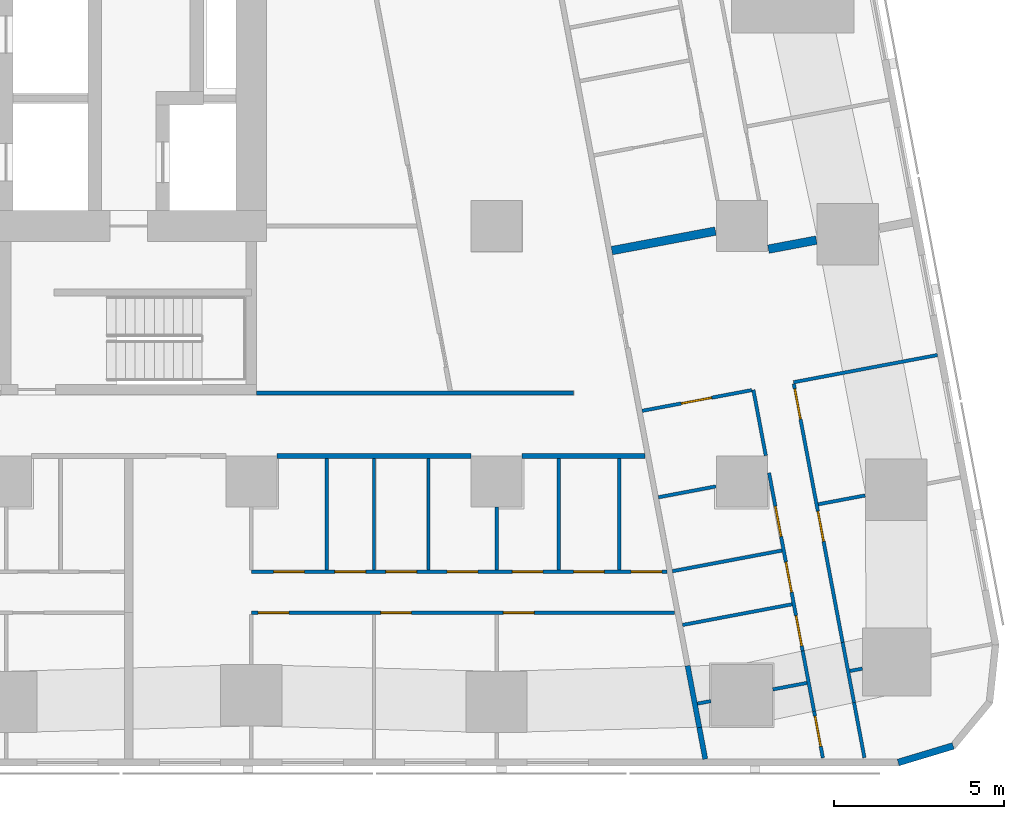
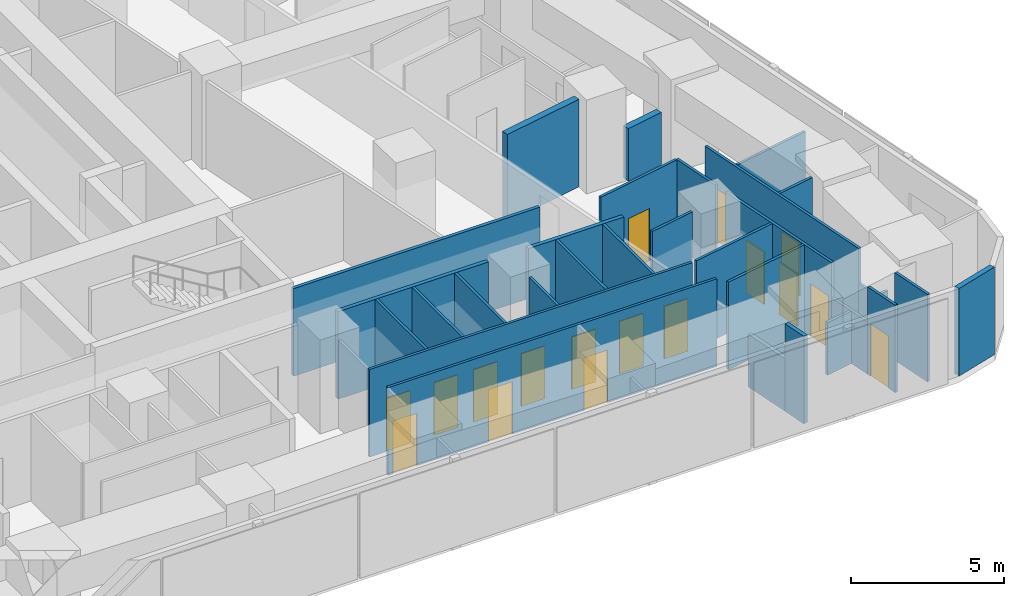
# One storey, part 6 of 15: 32 walls, 17 doors, 17 openings.
"""IFC4 building model written with IfcOpenShell, lengths in metres."""

from ifc_helpers import new_model, si_unit, direction, frame, frame_2d, origin, place, context, subcontext, project, spatial, rectangle, extrude, material, layer, layer_set, type_object, element, fill, save


model = new_model("IFC4")

# Units and contexts
model_context = context("Model", 3, precision=1e-05, world=origin(), true_north=direction((0.0, 1.0)))
body_context = subcontext(model_context, "Body", "Model", "MODEL_VIEW")
ifc_project = project(units=[si_unit("LENGTHUNIT", "METRE"), si_unit("AREAUNIT", "SQUARE_METRE"), si_unit("VOLUMEUNIT", "CUBIC_METRE"), si_unit("PLANEANGLEUNIT", "RADIAN"), si_unit("MASSUNIT", "GRAM", prefix="KILO")], contexts=[model_context])

# Site, building, storey
site_placement = place(None, origin())
site = spatial("IfcSite", under=ifc_project, at=site_placement, CompositionType="ELEMENT")
building_placement = place(site_placement, origin())
building = spatial("IfcBuilding", under=site, at=building_placement, Name="Sheger Commons Tower", CompositionType="ELEMENT")
storey_placement = place(building_placement, frame((0.0, 0.0, 150.800048828125)))
storey = spatial("IfcBuildingStorey", under=building, at=storey_placement, Name="L38", CompositionType="ELEMENT", Elevation=150.800048828125)

# Walls
ifc_material_1 = material(Name="Hollow concrete block masonry, skimmed both sides", Category="masonry")
ifc_layer_1 = layer(ifc_material_1, 0.14990234375)
ifc_layer_set_1 = layer_set([ifc_layer_1], Name="CORRIDOR WALL 150")
wall_type_1 = type_object("IfcWallType", Name="CORRIDOR WALL 150", PredefinedType="SOLIDWALL", material=ifc_layer_set_1)
wall_1_placement = place(storey_placement, frame((40.35595703125, 8.25, 0.0), z_axis=(0.0, 0.0, 1.0), x_axis=(-1.0, 0.0, 0.0)))
element("IfcWall", 1, at=wall_1_placement, inside=storey, type_object=wall_type_1, Name="Corridor wall L38", PredefinedType="SOLIDWALL", context=body_context, shape_type="SweptSolid", body=[
    extrude(rectangle(XDim=3.60498046875, YDim=0.14990234375, at=frame_2d((1.802490234375, 0.0))), origin(), (0.0, 0.0, 1.0), 3.5),
])
wall_2_placement = place(storey_placement, frame((35.2490234375, 8.25, 0.0), z_axis=(0.0, 0.0, 1.0), x_axis=(-1.0, 0.0, 0.0)))
element("IfcWall", 2, at=wall_2_placement, inside=storey, type_object=wall_type_1, Name="Corridor wall L38", PredefinedType="SOLIDWALL", context=body_context, shape_type="SweptSolid", body=[
    extrude(rectangle(XDim=5.697998046875, YDim=0.14990234375, at=frame_2d((2.84912109375, 0.0))), origin(), (0.0, 0.0, 1.0), 3.5),
])
wall_3_placement = place(storey_placement, frame((41.60888671875, 2.093017578125, 0.0), z_axis=(0.0, 0.0, 1.0), x_axis=(0.185708872674, -0.982604811005, 0.0)))
element("IfcWall", 3, at=wall_3_placement, inside=storey, type_object=wall_type_1, Name="Corridor wall L38", PredefinedType="SOLIDWALL", context=body_context, shape_type="SweptSolid", body=[
    extrude(rectangle(XDim=1.84716796875, YDim=0.14990234375, at=frame_2d((0.923583984375, 0.0))), origin(), (0.0, 0.0, 1.0), 2.099853515625),
])
wall_4_placement = place(storey_placement, frame((41.951904296875, 0.278076171875, 0.0), z_axis=(0.0, 0.0, 1.0), x_axis=(0.185365466984, -0.982669651332, 0.0)))
element("IfcWall", 4, at=wall_4_placement, inside=storey, type_object=wall_type_1, Name="Corridor wall L38", PredefinedType="SOLIDWALL", context=body_context, shape_type="SweptSolid", body=[
    extrude(rectangle(XDim=0.9443359375, YDim=0.14990234375, at=frame_2d((0.47216796875, 0.0))), origin(), (0.0, 0.0, 1.0), 3.5),
])
ifc_material_2 = material(Name="Dense concrete block masonry, plastered both sides (separating wall between flats)", Category="masonry")
ifc_layer_2 = layer(ifc_material_2, 0.25)
ifc_layer_set_2 = layer_set([ifc_layer_2], Name="DEMISING WALL 250")
wall_type_2 = type_object("IfcWallType", Name="DEMISING WALL 250", PredefinedType="SOLIDWALL", material=ifc_layer_set_2)
wall_5_placement = place(storey_placement, frame((45.389892578125, 14.587890625, 0.0), z_axis=(0.0, 0.0, 1.0), x_axis=(-0.982680951688, -0.18530555089, 0.0)))
element("IfcWall", 5, at=wall_5_placement, inside=storey, type_object=wall_type_2, Name="Demising wall L38", PredefinedType="SOLIDWALL", context=body_context, shape_type="SweptSolid", body=[
    extrude(rectangle(XDim=1.434814453125, YDim=0.25, at=frame_2d((0.71728515625, 0.0))), origin(), (0.0, 0.0, 1.0), 2.099853515625),
])
wall_6_placement = place(storey_placement, frame((42.426025390625, 14.85302734375, 0.0), z_axis=(0.0, 0.0, 1.0), x_axis=(-0.982660840416, -0.185412169809, 0.0)))
element("IfcWall", 6, at=wall_6_placement, inside=storey, type_object=wall_type_2, Name="Demising wall L38", PredefinedType="SOLIDWALL", context=body_context, shape_type="SweptSolid", body=[
    extrude(rectangle(XDim=3.095703125, YDim=0.25, at=frame_2d((1.5478515625, 0.0))), origin(), (0.0, 0.0, 1.0), 3.5),
])
ifc_material_3 = material(Name="Rendered concrete block masonry, dark grey", Category="masonry")
ifc_layer_3 = layer(ifc_material_3, 0.199951171875)
ifc_layer_set_3 = layer_set([ifc_layer_3], Name="FACADE WALL 200")
wall_type_3 = type_object("IfcWallType", Name="FACADE WALL 200", PredefinedType="SOLIDWALL", material=ifc_layer_set_3)
wall_7_placement = place(storey_placement, frame((47.791015625, -0.75, 0.0), z_axis=(0.0, 0.0, 1.0), x_axis=(0.957455232626, 0.288581838509, 0.0)))
element("IfcWall", 7, at=wall_7_placement, inside=storey, type_object=wall_type_3, Name="Facade wall L38", PredefinedType="SOLIDWALL", context=body_context, shape_type="SweptSolid", body=[
    extrude(rectangle(XDim=1.687744140625, YDim=0.199951171875, at=frame_2d((0.84375, 0.0))), origin(), (0.0, 0.0, 1.0), 3.5),
])

# Wall, openings, doors
ifc_material_4 = material(Name="Gypsum board on steel studs", Category="steel")
ifc_layer_4 = layer(ifc_material_4, 0.10009765625)
ifc_layer_set_4 = layer_set([ifc_layer_4], Name="PARTITION 100")
wall_type_4 = type_object("IfcWallType", Name="PARTITION 100", PredefinedType="PARTITIONING", material=ifc_layer_set_4)
wall_8_placement = place(storey_placement, frame((41.22900390625, 3.64990234375, 0.0), z_axis=(0.0, 0.0, 1.0), x_axis=(-1.0, 0.0, 0.0)))
wall_8 = element("IfcWall", 8, at=wall_8_placement, inside=storey, type_object=wall_type_4, Name="Partition L38", PredefinedType="PARTITIONING", context=body_context, shape_type="SweptSolid", body=[
    extrude(rectangle(XDim=12.428955078125, YDim=0.10009765625, at=frame_2d((6.21435546875, 0.0))), origin(), (0.0, 0.0, 1.0), 3.5),
])
opening_1_placement = place(wall_8_placement, frame((11.3291015625, 0.0, 0.0)))
opening_1 = element("IfcOpeningElement", 9, at=opening_1_placement, cuts=wall_8, Name="Opening D2", PredefinedType="OPENING", context=body_context, shape_type="SweptSolid", body=[
    extrude(rectangle(XDim=0.89990234375, YDim=2.10009765625, at=frame_2d((0.449951171875, 1.050048828125))), frame((0.0, 0.06005859375, 0.0), z_axis=(0.0, -1.0, 0.0), x_axis=(1.0, 0.0, 0.0)), (0.0, 0.0, 1.0), 0.1201171875),
])
opening_2_placement = place(wall_8_placement, frame((7.72900390625, 0.0, 0.0)))
opening_2 = element("IfcOpeningElement", 10, at=opening_2_placement, cuts=wall_8, Name="Opening D2", PredefinedType="OPENING", context=body_context, shape_type="SweptSolid", body=[
    extrude(rectangle(XDim=0.89990234375, YDim=2.10009765625, at=frame_2d((0.449951171875, 1.050048828125))), frame((0.0, 0.06005859375, 0.0), z_axis=(0.0, -1.0, 0.0), x_axis=(1.0, 0.0, 0.0)), (0.0, 0.0, 1.0), 0.1201171875),
])
opening_3_placement = place(wall_8_placement, frame((4.12890625, 0.0, 0.0)))
opening_3 = element("IfcOpeningElement", 11, at=opening_3_placement, cuts=wall_8, Name="Opening D2", PredefinedType="OPENING", context=body_context, shape_type="SweptSolid", body=[
    extrude(rectangle(XDim=0.89990234375, YDim=2.10009765625, at=frame_2d((0.449951171875, 1.050048828125))), frame((0.0, 0.06005859375, 0.0), z_axis=(0.0, -1.0, 0.0), x_axis=(1.0, 0.0, 0.0)), (0.0, 0.0, 1.0), 0.1201171875),
])
ifc_material_5 = material(Name="Timber door set", Category="wood")
door_type = type_object("IfcDoorType", Name="INTERNAL DOOR 900x2100", OperationType="NOTDEFINED", PredefinedType="DOOR", material=ifc_material_5)
door_1_placement = place(opening_1_placement, origin())
door_1 = element("IfcDoor", 12, at=door_1_placement, inside=storey, type_object=door_type, Name="Main bedroom door", OperationType="SINGLE_SWING_RIGHT", OverallHeight=2.10009765625, OverallWidth=0.89990234375, PredefinedType="DOOR", context=body_context, shape_type="SweptSolid", body=[
    extrude(rectangle(XDim=0.89990234375, YDim=2.10009765625, at=frame_2d((0.449951171875, 1.050048828125))), frame((0.0, 0.02490234375, 0.0), z_axis=(0.0, -1.0, 0.0), x_axis=(1.0, 0.0, 0.0)), (0.0, 0.0, 1.0), 0.050048828125),
])
fill(opening_1, door_1)
door_2_placement = place(opening_2_placement, origin())
door_2 = element("IfcDoor", 13, at=door_2_placement, inside=storey, type_object=door_type, Name="Bedroom 2 door", OperationType="SINGLE_SWING_RIGHT", OverallHeight=2.10009765625, OverallWidth=0.89990234375, PredefinedType="DOOR", context=body_context, shape_type="SweptSolid", body=[
    extrude(rectangle(XDim=0.89990234375, YDim=2.10009765625, at=frame_2d((0.449951171875, 1.050048828125))), frame((0.0, 0.02490234375, 0.0), z_axis=(0.0, -1.0, 0.0), x_axis=(1.0, 0.0, 0.0)), (0.0, 0.0, 1.0), 0.050048828125),
])
fill(opening_2, door_2)
door_3_placement = place(opening_3_placement, origin())
door_3 = element("IfcDoor", 14, at=door_3_placement, inside=storey, type_object=door_type, Name="Bedroom 3 door", OperationType="SINGLE_SWING_RIGHT", OverallHeight=2.10009765625, OverallWidth=0.89990234375, PredefinedType="DOOR", context=body_context, shape_type="SweptSolid", body=[
    extrude(rectangle(XDim=0.89990234375, YDim=2.10009765625, at=frame_2d((0.449951171875, 1.050048828125))), frame((0.0, 0.02490234375, 0.0), z_axis=(0.0, -1.0, 0.0), x_axis=(1.0, 0.0, 0.0)), (0.0, 0.0, 1.0), 0.050048828125),
])
fill(opening_3, door_3)

wall_9_placement = place(storey_placement, frame((41.001953125, 4.85009765625, 0.0), z_axis=(0.0, 0.0, 1.0), x_axis=(-1.0, 0.0, 0.0)))
wall_9 = element("IfcWall", 15, at=wall_9_placement, inside=storey, type_object=wall_type_4, Name="Partition L38", PredefinedType="PARTITIONING", context=body_context, shape_type="SweptSolid", body=[
    extrude(rectangle(XDim=12.201904296875, YDim=0.10009765625, at=frame_2d((6.10107421875, 0.0))), origin(), (0.0, 0.0, 1.0), 3.5),
])
opening_4_placement = place(wall_9_placement, frame((10.64697265625, 0.0, 0.0)))
opening_4 = element("IfcOpeningElement", 16, at=opening_4_placement, cuts=wall_9, Name="Opening D2", PredefinedType="OPENING", context=body_context, shape_type="SweptSolid", body=[
    extrude(rectangle(XDim=0.89990234375, YDim=2.10009765625, at=frame_2d((0.449951171875, 1.050048828125))), frame((0.0, 0.06005859375, 0.0), z_axis=(0.0, -1.0, 0.0), x_axis=(1.0, 0.0, 0.0)), (0.0, 0.0, 1.0), 0.1201171875),
])
opening_5_placement = place(wall_9_placement, frame((7.35205078125, 0.0, 0.0)))
opening_5 = element("IfcOpeningElement", 17, at=opening_5_placement, cuts=wall_9, Name="Opening D2", PredefinedType="OPENING", context=body_context, shape_type="SweptSolid", body=[
    extrude(rectangle(XDim=0.89990234375, YDim=2.10009765625, at=frame_2d((0.449951171875, 1.050048828125))), frame((0.0, 0.06005859375, 0.0), z_axis=(0.0, -1.0, 0.0), x_axis=(1.0, 0.0, 0.0)), (0.0, 0.0, 1.0), 0.1201171875),
])
opening_6_placement = place(wall_9_placement, frame((3.64208984375, 0.0, 0.0)))
opening_6 = element("IfcOpeningElement", 18, at=opening_6_placement, cuts=wall_9, Name="Opening D2", PredefinedType="OPENING", context=body_context, shape_type="SweptSolid", body=[
    extrude(rectangle(XDim=0.89990234375, YDim=2.10009765625, at=frame_2d((0.449951171875, 1.050048828125))), frame((0.0, 0.06005859375, 0.0), z_axis=(0.0, -1.0, 0.0), x_axis=(1.0, 0.0, 0.0)), (0.0, 0.0, 1.0), 0.1201171875),
])
opening_7_placement = place(wall_9_placement, frame((0.14990234375, 0.0, 0.0)))
opening_7 = element("IfcOpeningElement", 19, at=opening_7_placement, cuts=wall_9, Name="Opening D2", PredefinedType="OPENING", context=body_context, shape_type="SweptSolid", body=[
    extrude(rectangle(XDim=0.89990234375, YDim=2.10009765625, at=frame_2d((0.449951171875, 1.050048828125))), frame((0.0, 0.06005859375, 0.0), z_axis=(0.0, -1.0, 0.0), x_axis=(1.0, 0.0, 0.0)), (0.0, 0.0, 1.0), 0.1201171875),
])
opening_8_placement = place(wall_9_placement, frame((8.846923828125, 0.0, 0.0)))
opening_8 = element("IfcOpeningElement", 20, at=opening_8_placement, cuts=wall_9, Name="Opening D2", PredefinedType="OPENING", context=body_context, shape_type="SweptSolid", body=[
    extrude(rectangle(XDim=0.89990234375, YDim=2.10009765625, at=frame_2d((0.449951171875, 1.050048828125))), frame((0.0, 0.06005859375, 0.0), z_axis=(0.0, -1.0, 0.0), x_axis=(1.0, 0.0, 0.0)), (0.0, 0.0, 1.0), 0.1201171875),
])
opening_9_placement = place(wall_9_placement, frame((5.552001953125, 0.0, 0.0)))
opening_9 = element("IfcOpeningElement", 21, at=opening_9_placement, cuts=wall_9, Name="Opening D2", PredefinedType="OPENING", context=body_context, shape_type="SweptSolid", body=[
    extrude(rectangle(XDim=0.89990234375, YDim=2.10009765625, at=frame_2d((0.449951171875, 1.050048828125))), frame((0.0, 0.06005859375, 0.0), z_axis=(0.0, -1.0, 0.0), x_axis=(1.0, 0.0, 0.0)), (0.0, 0.0, 1.0), 0.1201171875),
])
opening_10_placement = place(wall_9_placement, frame((1.842041015625, 0.0, 0.0)))
opening_10 = element("IfcOpeningElement", 22, at=opening_10_placement, cuts=wall_9, Name="Opening D2", PredefinedType="OPENING", context=body_context, shape_type="SweptSolid", body=[
    extrude(rectangle(XDim=0.89990234375, YDim=2.10009765625, at=frame_2d((0.449951171875, 1.050048828125))), frame((0.0, 0.06005859375, 0.0), z_axis=(0.0, -1.0, 0.0), x_axis=(1.0, 0.0, 0.0)), (0.0, 0.0, 1.0), 0.1201171875),
])
door_4_placement = place(opening_4_placement, origin())
door_4 = element("IfcDoor", 23, at=door_4_placement, inside=storey, type_object=door_type, Name="Bathroom door", OperationType="SINGLE_SWING_LEFT", OverallHeight=2.10009765625, OverallWidth=0.89990234375, PredefinedType="DOOR", context=body_context, shape_type="SweptSolid", body=[
    extrude(rectangle(XDim=0.89990234375, YDim=2.10009765625, at=frame_2d((0.449951171875, 1.050048828125))), frame((0.0, 0.02490234375, 0.0), z_axis=(0.0, -1.0, 0.0), x_axis=(1.0, 0.0, 0.0)), (0.0, 0.0, 1.0), 0.050048828125),
])
fill(opening_4, door_4)
door_5_placement = place(opening_5_placement, origin())
door_5 = element("IfcDoor", 24, at=door_5_placement, inside=storey, type_object=door_type, Name="Shower room door", OperationType="SINGLE_SWING_RIGHT", OverallHeight=2.10009765625, OverallWidth=0.89990234375, PredefinedType="DOOR", context=body_context, shape_type="SweptSolid", body=[
    extrude(rectangle(XDim=0.89990234375, YDim=2.10009765625, at=frame_2d((0.449951171875, 1.050048828125))), frame((0.0, 0.02490234375, 0.0), z_axis=(0.0, -1.0, 0.0), x_axis=(1.0, 0.0, 0.0)), (0.0, 0.0, 1.0), 0.050048828125),
])
fill(opening_5, door_5)
door_6_placement = place(opening_6_placement, origin())
door_6 = element("IfcDoor", 25, at=door_6_placement, inside=storey, type_object=door_type, Name="Laundry room door", OperationType="SINGLE_SWING_RIGHT", OverallHeight=2.10009765625, OverallWidth=0.89990234375, PredefinedType="DOOR", context=body_context, shape_type="SweptSolid", body=[
    extrude(rectangle(XDim=0.89990234375, YDim=2.10009765625, at=frame_2d((0.449951171875, 1.050048828125))), frame((0.0, 0.02490234375, 0.0), z_axis=(0.0, -1.0, 0.0), x_axis=(1.0, 0.0, 0.0)), (0.0, 0.0, 1.0), 0.050048828125),
])
fill(opening_6, door_6)
door_7_placement = place(opening_7_placement, origin())
door_7 = element("IfcDoor", 26, at=door_7_placement, inside=storey, type_object=door_type, Name="Store and laundry door", OperationType="SINGLE_SWING_RIGHT", OverallHeight=2.10009765625, OverallWidth=0.89990234375, PredefinedType="DOOR", context=body_context, shape_type="SweptSolid", body=[
    extrude(rectangle(XDim=0.89990234375, YDim=2.10009765625, at=frame_2d((0.449951171875, 1.050048828125))), frame((0.0, 0.02490234375, 0.0), z_axis=(0.0, -1.0, 0.0), x_axis=(1.0, 0.0, 0.0)), (0.0, 0.0, 1.0), 0.050048828125),
])
fill(opening_7, door_7)
door_8_placement = place(opening_8_placement, origin())
door_8 = element("IfcDoor", 27, at=door_8_placement, inside=storey, type_object=door_type, Name="Store door", OperationType="SINGLE_SWING_LEFT", OverallHeight=2.10009765625, OverallWidth=0.89990234375, PredefinedType="DOOR", context=body_context, shape_type="SweptSolid", body=[
    extrude(rectangle(XDim=0.89990234375, YDim=2.10009765625, at=frame_2d((0.449951171875, 1.050048828125))), frame((0.0, 0.02490234375, 0.0), z_axis=(0.0, -1.0, 0.0), x_axis=(1.0, 0.0, 0.0)), (0.0, 0.0, 1.0), 0.050048828125),
])
fill(opening_8, door_8)
door_9_placement = place(opening_9_placement, origin())
door_9 = element("IfcDoor", 28, at=door_9_placement, inside=storey, type_object=door_type, Name="Store door", OperationType="SINGLE_SWING_LEFT", OverallHeight=2.10009765625, OverallWidth=0.89990234375, PredefinedType="DOOR", context=body_context, shape_type="SweptSolid", body=[
    extrude(rectangle(XDim=0.89990234375, YDim=2.10009765625, at=frame_2d((0.449951171875, 1.050048828125))), frame((0.0, 0.02490234375, 0.0), z_axis=(0.0, -1.0, 0.0), x_axis=(1.0, 0.0, 0.0)), (0.0, 0.0, 1.0), 0.050048828125),
])
fill(opening_9, door_9)
door_10_placement = place(opening_10_placement, origin())
door_10 = element("IfcDoor", 29, at=door_10_placement, inside=storey, type_object=door_type, Name="Store door", OperationType="SINGLE_SWING_LEFT", OverallHeight=2.10009765625, OverallWidth=0.89990234375, PredefinedType="DOOR", context=body_context, shape_type="SweptSolid", body=[
    extrude(rectangle(XDim=0.89990234375, YDim=2.10009765625, at=frame_2d((0.449951171875, 1.050048828125))), frame((0.0, 0.02490234375, 0.0), z_axis=(0.0, -1.0, 0.0), x_axis=(1.0, 0.0, 0.0)), (0.0, 0.0, 1.0), 0.050048828125),
])
fill(opening_10, door_10)

# Walls
wall_10_placement = place(storey_placement, frame((32.39990234375, 4.89990234375, 0.0), z_axis=(0.0, 0.0, 1.0), x_axis=(0.0, 1.0, 0.0)))
element("IfcWall", 30, at=wall_10_placement, inside=storey, type_object=wall_type_4, Name="Partition L38", PredefinedType="PARTITIONING", context=body_context, shape_type="SweptSolid", body=[
    extrude(rectangle(XDim=3.275146484375, YDim=0.10009765625, at=frame_2d((1.6376953125, 0.0))), origin(), (0.0, 0.0, 1.0), 3.5),
])
wall_11_placement = place(storey_placement, frame((36.0, 4.89990234375, 0.0), z_axis=(0.0, 0.0, 1.0), x_axis=(0.0, 1.0, 0.0)))
element("IfcWall", 31, at=wall_11_placement, inside=storey, type_object=wall_type_4, Name="Partition L38", PredefinedType="PARTITIONING", context=body_context, shape_type="SweptSolid", body=[
    extrude(rectangle(XDim=1.84912109375, YDim=0.10009765625, at=frame_2d((0.924560546875, 0.0))), origin(), (0.0, 0.0, 1.0), 3.5),
])
for number, where, z_axis, x_axis, name in (
    (32, (39.60009765625, 4.89990234375, 0.0), (0.0, 0.0, 1.0), (0.0, 1.0, 0.0), "Partition L38"),
    (33, (31.010009765625, 4.89990234375, 0.0), (0.0, 0.0, 1.0), (0.0, 1.0, 0.0), "Partition L38"),
    (34, (34.0, 4.89990234375, 0.0), (0.0, 0.0, 1.0), (0.0, 1.0, 0.0), "Partition L38"),
    (35, (37.820068359375, 4.89990234375, 0.0), (0.0, 0.0, 1.0), (0.0, 1.0, 0.0), "Partition L38"),
):
    element("IfcWall", number, at=place(storey_placement, frame(where, z_axis=z_axis, x_axis=x_axis)), inside=storey, type_object=wall_type_4, Name=name, PredefinedType="PARTITIONING", context=body_context, shape_type="SweptSolid", body=[
        extrude(rectangle(XDim=3.275146484375, YDim=0.10009765625, at=frame_2d((1.6376953125, 0.0))), origin(), (0.0, 0.0, 1.0), 3.5),
    ])

# Wall, openings, doors
wall_12_placement = place(storey_placement, frame((44.72705078125, 10.365966796875, 0.0), z_axis=(0.0, 0.0, 1.0), x_axis=(0.185578957652, -0.982629355595, 0.0)))
wall_12 = element("IfcWall", 36, at=wall_12_placement, inside=storey, type_object=wall_type_4, Name="Partition L38", PredefinedType="PARTITIONING", context=body_context, shape_type="SweptSolid", body=[
    extrude(rectangle(XDim=7.720947265625, YDim=0.10009765625, at=frame_2d((3.8603515625, 0.0))), origin(), (0.0, 0.0, 1.0), 3.5),
])
opening_11_placement = place(wall_12_placement, frame((0.15087890625, 0.0, 0.0)))
opening_11 = element("IfcOpeningElement", 37, at=opening_11_placement, cuts=wall_12, Name="Opening D2", PredefinedType="OPENING", context=body_context, shape_type="SweptSolid", body=[
    extrude(rectangle(XDim=0.89990234375, YDim=2.10009765625, at=frame_2d((0.449951171875, 1.050048828125))), frame((0.0, 0.06005859375, 0.0), z_axis=(0.0, -1.0, 0.0), x_axis=(1.0, 0.0, 0.0)), (0.0, 0.0, 1.0), 0.1201171875),
])
opening_12_placement = place(wall_12_placement, frame((3.805908203125, 0.0, 0.0)))
opening_12 = element("IfcOpeningElement", 38, at=opening_12_placement, cuts=wall_12, Name="Opening D2", PredefinedType="OPENING", context=body_context, shape_type="SweptSolid", body=[
    extrude(rectangle(XDim=0.89990234375, YDim=2.10009765625, at=frame_2d((0.449951171875, 1.050048828125))), frame((0.0, 0.06005859375, 0.0), z_axis=(0.0, -1.0, 0.0), x_axis=(1.0, 0.0, 0.0)), (0.0, 0.0, 1.0), 0.1201171875),
])
door_11_placement = place(opening_11_placement, origin())
door_11 = element("IfcDoor", 39, at=door_11_placement, inside=storey, type_object=door_type, Name="Main bedroom door", OperationType="SINGLE_SWING_LEFT", OverallHeight=2.10009765625, OverallWidth=0.89990234375, PredefinedType="DOOR", context=body_context, shape_type="SweptSolid", body=[
    extrude(rectangle(XDim=0.89990234375, YDim=2.10009765625, at=frame_2d((0.449951171875, 1.050048828125))), frame((0.0, 0.02490234375, 0.0), z_axis=(0.0, -1.0, 0.0), x_axis=(1.0, 0.0, 0.0)), (0.0, 0.0, 1.0), 0.050048828125),
])
fill(opening_11, door_11)
door_12_placement = place(opening_12_placement, origin())
door_12 = element("IfcDoor", 40, at=door_12_placement, inside=storey, type_object=door_type, Name="Bedroom 2 door", OperationType="SINGLE_SWING_LEFT", OverallHeight=2.10009765625, OverallWidth=0.89990234375, PredefinedType="DOOR", context=body_context, shape_type="SweptSolid", body=[
    extrude(rectangle(XDim=0.89990234375, YDim=2.10009765625, at=frame_2d((0.449951171875, 1.050048828125))), frame((0.0, 0.02490234375, 0.0), z_axis=(0.0, -1.0, 0.0), x_axis=(1.0, 0.0, 0.0)), (0.0, 0.0, 1.0), 0.050048828125),
])
fill(opening_12, door_12)

# Walls
wall_13_placement = place(storey_placement, frame((46.159912109375, 2.779052734375, 0.0), z_axis=(0.0, 0.0, 1.0), x_axis=(0.18597295662, -0.982554863306, 0.0)))
element("IfcWall", 41, at=wall_13_placement, inside=storey, type_object=wall_type_4, Name="Partition L38", PredefinedType="PARTITIONING", context=body_context, shape_type="SweptSolid", body=[
    extrude(rectangle(XDim=1.802490234375, YDim=0.10009765625, at=frame_2d((0.9013671875, 0.0))), origin(), (0.0, 0.0, 1.0), 2.099853515625),
])
wall_14_placement = place(storey_placement, frame((46.4951171875, 1.008056640625, 0.0), z_axis=(0.0, 0.0, 1.0), x_axis=(0.185535059532, -0.982637645159, 0.0)))
element("IfcWall", 42, at=wall_14_placement, inside=storey, type_object=wall_type_4, Name="Partition L38", PredefinedType="PARTITIONING", context=body_context, shape_type="SweptSolid", body=[
    extrude(rectangle(XDim=1.6435546875, YDim=0.10009765625, at=frame_2d((0.82177734375, 0.0))), origin(), (0.0, 0.0, 1.0), 3.5),
])
wall_15_placement = place(storey_placement, frame((43.5390625, 10.19189453125, 0.0), z_axis=(0.0, 0.0, 1.0), x_axis=(0.18564540894, -0.982616803306, 0.0)))
element("IfcWall", 43, at=wall_15_placement, inside=storey, type_object=wall_type_4, Name="Partition L38", PredefinedType="PARTITIONING", context=body_context, shape_type="SweptSolid", body=[
    extrude(rectangle(XDim=1.966064453125, YDim=0.10009765625, at=frame_2d((0.98291015625, 0.0))), origin(), (0.0, 0.0, 1.0), 3.5),
])

# Wall, openings, doors
wall_16_placement = place(storey_placement, frame((43.9990234375, 7.7548828125, 0.0), z_axis=(0.0, 0.0, 1.0), x_axis=(0.185565904578, -0.982631820703, 0.0)))
wall_16 = element("IfcWall", 44, at=wall_16_placement, inside=storey, type_object=wall_type_4, Name="Partition L38", PredefinedType="PARTITIONING", context=body_context, shape_type="SweptSolid", body=[
    extrude(rectangle(XDim=5.319091796875, YDim=0.10009765625, at=frame_2d((2.65966796875, 0.0))), origin(), (0.0, 0.0, 1.0), 3.5),
])
opening_13_placement = place(wall_16_placement, frame((1.0, 0.0, 0.0)))
opening_13 = element("IfcOpeningElement", 45, at=opening_13_placement, cuts=wall_16, Name="Opening D2", PredefinedType="OPENING", context=body_context, shape_type="SweptSolid", body=[
    extrude(rectangle(XDim=0.89990234375, YDim=2.10009765625, at=frame_2d((0.449951171875, 1.050048828125))), frame((0.0, 0.06005859375, 0.0), z_axis=(0.0, -1.0, 0.0), x_axis=(1.0, 0.0, 0.0)), (0.0, 0.0, 1.0), 0.1201171875),
])
opening_14_placement = place(wall_16_placement, frame((4.26904296875, 0.0, 0.0)))
opening_14 = element("IfcOpeningElement", 46, at=opening_14_placement, cuts=wall_16, Name="Opening D2", PredefinedType="OPENING", context=body_context, shape_type="SweptSolid", body=[
    extrude(rectangle(XDim=0.89990234375, YDim=2.10009765625, at=frame_2d((0.449951171875, 1.050048828125))), frame((0.0, 0.06005859375, 0.0), z_axis=(0.0, -1.0, 0.0), x_axis=(1.0, 0.0, 0.0)), (0.0, 0.0, 1.0), 0.1201171875),
])
opening_15_placement = place(wall_16_placement, frame((2.6650390625, 0.0, 0.0)))
opening_15 = element("IfcOpeningElement", 47, at=opening_15_placement, cuts=wall_16, Name="Opening D2", PredefinedType="OPENING", context=body_context, shape_type="SweptSolid", body=[
    extrude(rectangle(XDim=0.89990234375, YDim=2.10009765625, at=frame_2d((0.449951171875, 1.050048828125))), frame((0.0, 0.06005859375, 0.0), z_axis=(0.0, -1.0, 0.0), x_axis=(1.0, 0.0, 0.0)), (0.0, 0.0, 1.0), 0.1201171875),
])
door_13_placement = place(opening_13_placement, origin())
door_13 = element("IfcDoor", 48, at=door_13_placement, inside=storey, type_object=door_type, Name="Bathroom door", OperationType="SINGLE_SWING_LEFT", OverallHeight=2.10009765625, OverallWidth=0.89990234375, PredefinedType="DOOR", context=body_context, shape_type="SweptSolid", body=[
    extrude(rectangle(XDim=0.89990234375, YDim=2.10009765625, at=frame_2d((0.449951171875, 1.050048828125))), frame((0.0, 0.02490234375, 0.0), z_axis=(0.0, -1.0, 0.0), x_axis=(1.0, 0.0, 0.0)), (0.0, 0.0, 1.0), 0.050048828125),
])
fill(opening_13, door_13)
door_14_placement = place(opening_14_placement, origin())
door_14 = element("IfcDoor", 49, at=door_14_placement, inside=storey, type_object=door_type, Name="Laundry room door", OperationType="SINGLE_SWING_LEFT", OverallHeight=2.10009765625, OverallWidth=0.89990234375, PredefinedType="DOOR", context=body_context, shape_type="SweptSolid", body=[
    extrude(rectangle(XDim=0.89990234375, YDim=2.10009765625, at=frame_2d((0.449951171875, 1.050048828125))), frame((0.0, 0.02490234375, 0.0), z_axis=(0.0, -1.0, 0.0), x_axis=(1.0, 0.0, 0.0)), (0.0, 0.0, 1.0), 0.050048828125),
])
fill(opening_14, door_14)
door_15_placement = place(opening_15_placement, origin())
door_15 = element("IfcDoor", 50, at=door_15_placement, inside=storey, type_object=door_type, Name="Store door", OperationType="SINGLE_SWING_LEFT", OverallHeight=2.10009765625, OverallWidth=0.89990234375, PredefinedType="DOOR", context=body_context, shape_type="SweptSolid", body=[
    extrude(rectangle(XDim=0.89990234375, YDim=2.10009765625, at=frame_2d((0.449951171875, 1.050048828125))), frame((0.0, 0.02490234375, 0.0), z_axis=(0.0, -1.0, 0.0), x_axis=(1.0, 0.0, 0.0)), (0.0, 0.0, 1.0), 0.050048828125),
])
fill(opening_15, door_15)

# Wall
wall_17_placement = place(storey_placement, frame((44.986083984375, 2.528076171875, 0.0), z_axis=(0.0, 0.0, 1.0), x_axis=(0.18584218627, -0.982579605835, 0.0)))
element("IfcWall", 51, at=wall_17_placement, inside=storey, type_object=wall_type_4, Name="Partition L38", PredefinedType="PARTITIONING", context=body_context, shape_type="SweptSolid", body=[
    extrude(rectangle(XDim=1.802490234375, YDim=0.10009765625, at=frame_2d((0.9013671875, 0.0))), origin(), (0.0, 0.0, 1.0), 2.099853515625),
])

# Wall, opening, door
wall_18_placement = place(storey_placement, frame((45.321044921875, 0.757080078125, 0.0), z_axis=(0.0, 0.0, 1.0), x_axis=(0.185640562635, -0.982617718904, 0.0)))
wall_18 = element("IfcWall", 52, at=wall_18_placement, inside=storey, type_object=wall_type_4, Name="Partition L38", PredefinedType="PARTITIONING", context=body_context, shape_type="SweptSolid", body=[
    extrude(rectangle(XDim=1.395263671875, YDim=0.10009765625, at=frame_2d((0.69775390625, 0.0))), origin(), (0.0, 0.0, 1.0), 3.5),
])
opening_16_placement = place(wall_18_placement, frame((0.14990234375, 0.0, 0.0)))
opening_16 = element("IfcOpeningElement", 53, at=opening_16_placement, cuts=wall_18, Name="Opening D2", PredefinedType="OPENING", context=body_context, shape_type="SweptSolid", body=[
    extrude(rectangle(XDim=0.89990234375, YDim=2.10009765625, at=frame_2d((0.449951171875, 1.050048828125))), frame((0.0, 0.06005859375, 0.0), z_axis=(0.0, -1.0, 0.0), x_axis=(1.0, 0.0, 0.0)), (0.0, 0.0, 1.0), 0.1201171875),
])
door_16_placement = place(opening_16_placement, origin())
door_16 = element("IfcDoor", 54, at=door_16_placement, inside=storey, type_object=door_type, Name="Laundry room door", OperationType="SINGLE_SWING_RIGHT", OverallHeight=2.10009765625, OverallWidth=0.89990234375, PredefinedType="DOOR", context=body_context, shape_type="SweptSolid", body=[
    extrude(rectangle(XDim=0.89990234375, YDim=2.10009765625, at=frame_2d((0.449951171875, 1.050048828125))), frame((0.0, 0.02490234375, 0.0), z_axis=(0.0, -1.0, 0.0), x_axis=(1.0, 0.0, 0.0)), (0.0, 0.0, 1.0), 0.050048828125),
])
fill(opening_16, door_16)

# Walls
wall_19_placement = place(storey_placement, frame((48.943115234375, 11.212890625, 0.0), z_axis=(0.0, 0.0, 1.0), x_axis=(-0.982633535512, -0.185556823879, 0.0)))
element("IfcWall", 55, at=wall_19_placement, inside=storey, type_object=wall_type_4, Name="Partition L38", PredefinedType="PARTITIONING", context=body_context, shape_type="SweptSolid", body=[
    extrude(rectangle(XDim=4.2998046875, YDim=0.10009765625, at=frame_2d((2.14990234375, 0.0))), origin(), (0.0, 0.0, 1.0), 2.099853515625),
])
wall_20_placement = place(storey_placement, frame((46.820068359375, 7.091064453125, 0.0), z_axis=(0.0, 0.0, 1.0), x_axis=(-0.982689853246, -0.185258339427, 0.0)))
element("IfcWall", 56, at=wall_20_placement, inside=storey, type_object=wall_type_4, Name="Partition L38", PredefinedType="PARTITIONING", context=body_context, shape_type="SweptSolid", body=[
    extrude(rectangle(XDim=1.398193359375, YDim=0.10009765625, at=frame_2d((0.69921875, 0.0))), origin(), (0.0, 0.0, 1.0), 3.5),
])
wall_21_placement = place(storey_placement, frame((46.738037109375, 2.006103515625, 0.0), z_axis=(0.0, 0.0, 1.0), x_axis=(-0.982820466874, -0.184564161994, 0.0)))
element("IfcWall", 57, at=wall_21_placement, inside=storey, type_object=wall_type_4, Name="Partition L38", PredefinedType="PARTITIONING", context=body_context, shape_type="SweptSolid", body=[
    extrude(rectangle(XDim=0.374267578125, YDim=0.10009765625, at=frame_2d((0.18701171875, 0.0))), origin(), (0.0, 0.0, 1.0), 2.099853515625),
])

# Wall, opening, door
wall_22_placement = place(storey_placement, frame((43.489990234375, 10.18310546875, 0.0), z_axis=(0.0, 0.0, 1.0), x_axis=(-0.982607026909, -0.185697147715, 0.0)))
wall_22 = element("IfcWall", 58, at=wall_22_placement, inside=storey, type_object=wall_type_4, Name="Partition L38", PredefinedType="PARTITIONING", context=body_context, shape_type="SweptSolid", body=[
    extrude(rectangle(XDim=3.27490234375, YDim=0.10009765625, at=frame_2d((1.637451171875, 0.0))), origin(), (0.0, 0.0, 1.0), 3.5),
])
opening_17_placement = place(wall_22_placement, frame((1.199951171875, 0.0, 0.0)))
opening_17 = element("IfcOpeningElement", 59, at=opening_17_placement, cuts=wall_22, Name="Opening D2", PredefinedType="OPENING", context=body_context, shape_type="SweptSolid", body=[
    extrude(rectangle(XDim=0.89990234375, YDim=2.10009765625, at=frame_2d((0.449951171875, 1.050048828125))), frame((0.0, 0.06005859375, 0.0), z_axis=(0.0, -1.0, 0.0), x_axis=(1.0, 0.0, 0.0)), (0.0, 0.0, 1.0), 0.1201171875),
])
door_17_placement = place(opening_17_placement, origin())
door_17 = element("IfcDoor", 60, at=door_17_placement, inside=storey, type_object=door_type, Name="Store door", OperationType="SINGLE_SWING_LEFT", OverallHeight=2.10009765625, OverallWidth=0.89990234375, PredefinedType="DOOR", context=body_context, shape_type="SweptSolid", body=[
    extrude(rectangle(XDim=0.89990234375, YDim=2.10009765625, at=frame_2d((0.449951171875, 1.050048828125))), frame((0.0, 0.02490234375, 0.0), z_axis=(0.0, -1.0, 0.0), x_axis=(1.0, 0.0, 0.0)), (0.0, 0.0, 1.0), 0.050048828125),
])
fill(opening_17, door_17)

# Walls
wall_23_placement = place(storey_placement, frame((42.43994140625, 7.35693359375, 0.0), z_axis=(0.0, 0.0, 1.0), x_axis=(-0.982643094077, -0.185506198448, 0.0)))
element("IfcWall", 61, at=wall_23_placement, inside=storey, type_object=wall_type_4, Name="Partition L38", PredefinedType="PARTITIONING", context=body_context, shape_type="SweptSolid", body=[
    extrude(rectangle(XDim=1.71875, YDim=0.10009765625, at=frame_2d((0.859375, 0.0))), origin(), (0.0, 0.0, 1.0), 3.5),
])
wall_24_placement = place(storey_placement, frame((45.114013671875, 1.5869140625, 0.0), z_axis=(0.0, 0.0, 1.0), x_axis=(-0.982567886437, -0.185904138047, 0.0)))
element("IfcWall", 62, at=wall_24_placement, inside=storey, type_object=wall_type_4, Name="Partition L38", PredefinedType="PARTITIONING", context=body_context, shape_type="SweptSolid", body=[
    extrude(rectangle(XDim=1.021728515625, YDim=0.10009765625, at=frame_2d((0.5107421875, 0.0))), origin(), (0.0, 0.0, 1.0), 2.099853515625),
])
wall_25_placement = place(storey_placement, frame((42.2900390625, 1.052978515625, 0.0), z_axis=(0.0, 0.0, 1.0), x_axis=(-0.982830800147, -0.184509127909, 0.0)))
element("IfcWall", 63, at=wall_25_placement, inside=storey, type_object=wall_type_4, Name="Partition L38", PredefinedType="PARTITIONING", context=body_context, shape_type="SweptSolid", body=[
    extrude(rectangle(XDim=0.40087890625, YDim=0.10009765625, at=frame_2d((0.200439453125, 0.0))), origin(), (0.0, 0.0, 1.0), 2.099853515625),
])
wall_26_placement = place(storey_placement, frame((44.677001953125, 3.89599609375, 0.0), z_axis=(0.0, 0.0, 1.0), x_axis=(-0.982610347627, -0.185679575441, 0.0)))
element("IfcWall", 64, at=wall_26_placement, inside=storey, type_object=wall_type_4, Name="Partition L38", PredefinedType="PARTITIONING", context=body_context, shape_type="SweptSolid", body=[
    extrude(rectangle(XDim=3.27392578125, YDim=0.10009765625, at=frame_2d((1.636962890625, 0.0))), origin(), (0.0, 0.0, 1.0), 3.5),
])
wall_27_placement = place(storey_placement, frame((44.37890625, 5.47412109375, 0.0), z_axis=(0.0, 0.0, 1.0), x_axis=(-0.982607026909, -0.185697147715, 0.0)))
element("IfcWall", 65, at=wall_27_placement, inside=storey, type_object=wall_type_4, Name="Partition L38", PredefinedType="PARTITIONING", context=body_context, shape_type="SweptSolid", body=[
    extrude(rectangle(XDim=3.27490234375, YDim=0.10009765625, at=frame_2d((1.637451171875, 0.0))), origin(), (0.0, 0.0, 1.0), 3.5),
])
ifc_material_6 = material(Name="Gypsum board on steel studs, two layers each side, fire rated", Category="steel")
ifc_layer_5 = layer(ifc_material_6, 0.125)
ifc_layer_set_5 = layer_set([ifc_layer_5], Name="SERVICE WALL 125")
wall_type_5 = type_object("IfcWallType", Name="SERVICE WALL 125", PredefinedType="PARTITIONING", material=ifc_layer_set_5)
wall_28_placement = place(storey_placement, frame((28.949951171875, 10.10009765625, 0.0), z_axis=(0.0, 0.0, 1.0), x_axis=(1.0, 0.0, 0.0)))
element("IfcWall", 66, at=wall_28_placement, inside=storey, type_object=wall_type_5, Name="Service room wall L38", PredefinedType="PARTITIONING", context=body_context, shape_type="SweptSolid", body=[
    extrude(rectangle(XDim=9.31494140625, YDim=0.125, at=frame_2d((4.657470703125, 0.0))), origin(), (0.0, 0.0, 1.0), 3.5),
])

save(model, "model.ifc")
